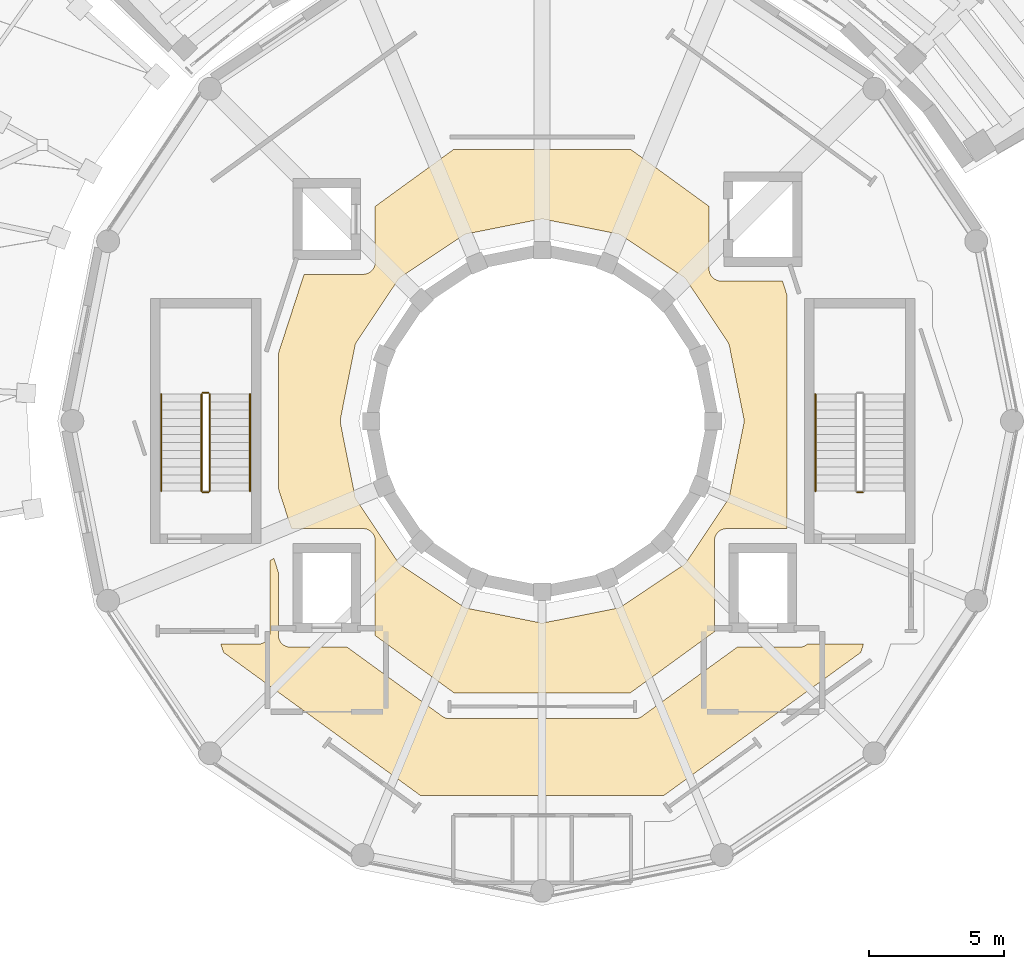
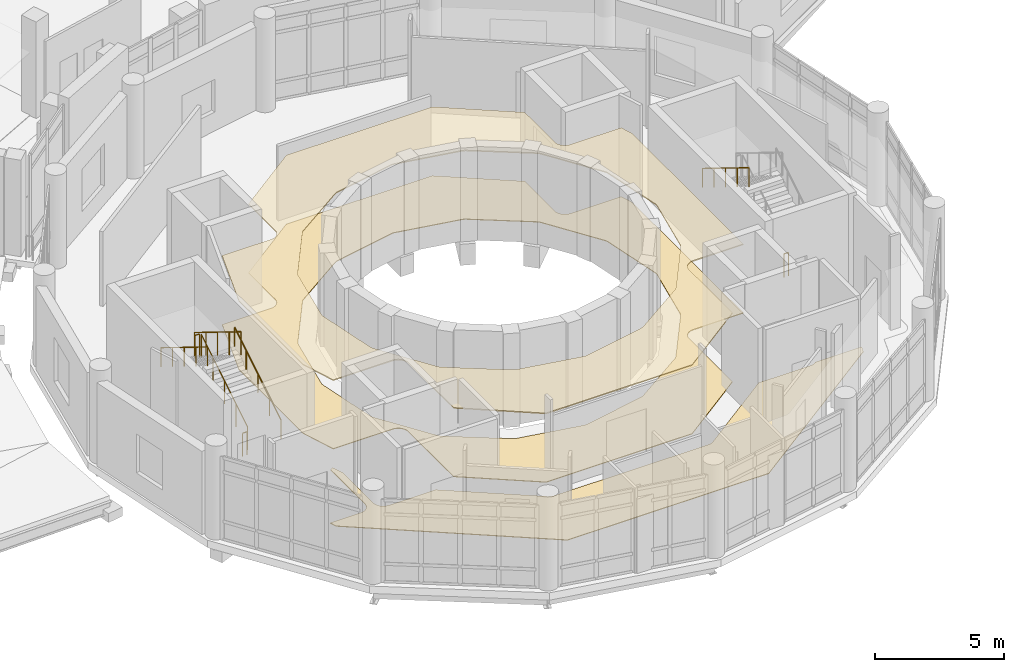
# One storey, part 42 of 49: 8 railings, 3 coverings.
"""IFC4 building model written with IfcOpenShell, lengths in metres."""

import ifcopenshell
import ifcopenshell.guid

model = None  # the IFC model being written
_history = None  # IfcOwnerHistory: only IFC2X3 demands one
_inside = {}  # id of a spatial element -> (the spatial element, [elements in it])
_under = {}  # id of a project, library or spatial element -> (it, [spatial elements below it])
_declared = {}  # id of a project -> (the project, [libraries it declares])
_typed = {}  # id of a type object -> (the type object, [elements of that type])
_made_of = {}  # id of a material, layer set ... -> (it, [elements and type objects made of it])


def new_model(schema):
    """Start an empty IFC model of exactly this schema.

    Asked for "IFC4X3", IfcOpenShell would pick the latest addendum, in which some entities
    have other attributes; the version numbers below select the first issue.
    IFC2X3 requires an IfcOwnerHistory on every rooted entity: one is made here for all.
    """
    global model, _history
    if schema == "IFC4X3":
        model = ifcopenshell.file(schema_version=(4, 3, 0, 0))
    else:
        model = ifcopenshell.file(schema=schema)
    _inside.clear()
    _under.clear()
    _declared.clear()
    _typed.clear()
    _made_of.clear()
    _history = None
    if model.schema == "IFC2X3":
        org = make("IfcOrganization", Name="unknown")
        user = make(
            "IfcPersonAndOrganization",
            ThePerson=make("IfcPerson", FamilyName="unknown"),
            TheOrganization=org,
        )
        app = make(
            "IfcApplication",
            ApplicationDeveloper=org,
            Version="unknown",
            ApplicationFullName="unknown",
            ApplicationIdentifier="unknown",
        )
        _history = make(
            "IfcOwnerHistory",
            OwningUser=user,
            OwningApplication=app,
            ChangeAction="ADDED",
            CreationDate=0,
        )
    return model


def make(cls, **values):
    """One entity of the class cls with the attributes given. An attribute that is None is left unset."""
    return model.create_entity(
        cls, **{name: value for name, value in values.items() if value is not None}
    )


def rooted(cls, **values):
    """An entity with a GlobalId (a new one), such as an element, a storey or a relation."""
    return make(cls, GlobalId=ifcopenshell.guid.new(), OwnerHistory=_history, **values)


def si_unit(unit_type, name, prefix=None):
    """IfcSIUnit, for example si_unit("LENGTHUNIT", "METRE", prefix="MILLI")."""
    return make("IfcSIUnit", UnitType=unit_type, Prefix=prefix, Name=name)


def assignment(units):
    """IfcUnitAssignment: the units of a project."""
    return None if units is None else make("IfcUnitAssignment", Units=units)


def point(xyz):
    """IfcCartesianPoint."""
    return None if xyz is None else make("IfcCartesianPoint", Coordinates=xyz)


def direction(xyz):
    """IfcDirection."""
    return None if xyz is None else make("IfcDirection", DirectionRatios=xyz)


def frame(location, z_axis=None, x_axis=None):
    """IfcAxis2Placement3D, a coordinate frame: its origin and axes. An axis left out is left unset."""
    return make(
        "IfcAxis2Placement3D",
        Location=point(location),
        Axis=direction(z_axis),
        RefDirection=direction(x_axis),
    )


def frame_2d(location, x_axis=None):
    """IfcAxis2Placement2D, a coordinate frame in the plane: its origin and x axis."""
    return make(
        "IfcAxis2Placement2D", Location=point(location), RefDirection=direction(x_axis)
    )


def origin():
    """The frame at (0, 0, 0) with its axes left unset."""
    return frame((0.0, 0.0, 0.0))


def origin_2d():
    """The frame at (0, 0) in the plane with its x axis left unset."""
    return frame_2d((0.0, 0.0))


def place(relative_to, where):
    """IfcLocalPlacement: puts the frame where relative to a parent placement (None: the world)."""
    return make(
        "IfcLocalPlacement", PlacementRelTo=relative_to, RelativePlacement=where
    )


def context(
    kind, dimensions, precision=None, world=None, true_north=None, identifier=None
):
    """IfcGeometricRepresentationContext, for example the 3D "Model" context."""
    return make(
        "IfcGeometricRepresentationContext",
        ContextIdentifier=identifier,
        ContextType=kind,
        CoordinateSpaceDimension=dimensions,
        Precision=precision,
        WorldCoordinateSystem=world,
        TrueNorth=true_north,
    )


def subcontext(parent, identifier, kind, view, scale=None):
    """IfcGeometricRepresentationSubContext, for example "Body" below "Model"."""
    return make(
        "IfcGeometricRepresentationSubContext",
        ContextIdentifier=identifier,
        ContextType=kind,
        ParentContext=parent,
        TargetScale=scale,
        TargetView=view,
    )


def project(units=None, contexts=None):
    """IfcProject with its units and contexts."""
    return rooted(
        "IfcProject",
        Name="project",
        RepresentationContexts=contexts,
        UnitsInContext=assignment(units),
    )


def spatial(cls, under=None, at=None, **own):
    """A site, building, storey or space (cls), placed at a placement, below another one or the project."""
    s = rooted(cls, ObjectPlacement=at, **own)
    if under is not None:
        _under.setdefault(under.id(), (under, []))[1].append(s)
    return s


def polyline(points):
    """IfcPolyline through the points."""
    return make("IfcPolyline", Points=[point(p) for p in points])


def profile(cls, at=None, kind="AREA", **sizes):
    """A parametric profile (cls). Its sizes go by their IFC names, for example OverallWidth=200.0."""
    return make(cls, ProfileType=kind, Position=at, **sizes)


def circle(**sizes):
    """IfcCircleProfileDef."""
    return profile("IfcCircleProfileDef", **sizes)


def outline(outer, holes=None, kind="AREA"):
    """IfcArbitraryClosedProfileDef: a profile drawn as a closed curve; with holes, ...WithVoids."""
    if holes is None:
        return make("IfcArbitraryClosedProfileDef", ProfileType=kind, OuterCurve=outer)
    return make(
        "IfcArbitraryProfileDefWithVoids",
        ProfileType=kind,
        OuterCurve=outer,
        InnerCurves=holes,
    )


def extrude(swept, where, along, depth):
    """IfcExtrudedAreaSolid: the profile swept, set in the frame where, extruded along a direction by depth."""
    return make(
        "IfcExtrudedAreaSolid",
        SweptArea=swept,
        Position=where,
        ExtrudedDirection=direction(along),
        Depth=depth,
    )


def shape(context_of_items, identifier, shape_type, items):
    """IfcShapeRepresentation: the items that make up one representation, for example the "Body"."""
    return make(
        "IfcShapeRepresentation",
        ContextOfItems=context_of_items,
        RepresentationIdentifier=identifier,
        RepresentationType=shape_type,
        Items=items,
    )


def material(Name=None, Category=None):
    """IfcMaterial."""
    return make("IfcMaterial", Name=Name, Category=Category)


def layer(
    of_material, thickness, ventilated=None, Name=None, Category=None, Priority=None
):
    """IfcMaterialLayer: one layer of a wall or slab, of a material (None: an air gap)."""
    return make(
        "IfcMaterialLayer",
        Material=of_material,
        LayerThickness=thickness,
        IsVentilated=ventilated,
        Name=Name,
        Category=Category,
        Priority=Priority,
    )


def layer_set(layers, Name=None):
    """IfcMaterialLayerSet."""
    return make("IfcMaterialLayerSet", MaterialLayers=layers, LayerSetName=Name)


def made_of(thing, what):
    """Note that an element or type object is made of a material, layer set ...; save() writes the relation."""
    if what is not None:
        _made_of.setdefault(what.id(), (what, []))[1].append(thing)
    return thing


def type_object(cls, material=None, **own):
    """A type object (cls), such as IfcWallType, which elements share."""
    return made_of(rooted(cls, **own), material)


def element(
    cls,
    number,
    at=None,
    inside=None,
    cuts=None,
    type_object=None,
    material=None,
    context=None,
    identifier="Body",
    shape_type=None,
    held_by="IfcProductDefinitionShape",
    body=None,
    shapes=None,
    **own,
):
    """One element of the class cls, such as IfcWall. Its Tag is "e" and its number.

    at: its placement. inside: the storey or other place that contains it. cuts: it is an
    opening in that element (IfcRelVoidsElement). A single representation is given by context,
    identifier, shape_type and body (its items); several are given by shapes. held_by: the class
    of the entity that holds the representations. save() writes the other relations.
    """
    e = rooted(cls, Tag="e%d" % number, ObjectPlacement=at, **own)
    if body is not None:
        shapes = [shape(context, identifier, shape_type, body)]
    if shapes is not None:
        e.Representation = make(held_by, Representations=shapes)
    if inside is not None:
        _inside.setdefault(inside.id(), (inside, []))[1].append(e)
    if cuts is not None:
        rooted(
            "IfcRelVoidsElement", RelatingBuildingElement=cuts, RelatedOpeningElement=e
        )
    if type_object is not None:
        _typed.setdefault(type_object.id(), (type_object, []))[1].append(e)
    return made_of(e, material)


def aggregate(whole, parts):
    """IfcRelAggregates: a whole, such as a stair, and the parts it consists of."""
    return rooted("IfcRelAggregates", RelatingObject=whole, RelatedObjects=parts)


def save(model, path):
    """Write the relations noted so far, then the file.

    IfcRelAggregates (storeys below a building ...), IfcRelContainedInSpatialStructure (elements
    in a storey), IfcRelDefinesByType, IfcRelAssociatesMaterial and IfcRelDeclares: one each for
    every whole, place, type object, material and project.
    """
    for whole, parts in _under.values():
        aggregate(whole, parts)
    for where, things in _inside.values():
        rooted(
            "IfcRelContainedInSpatialStructure",
            RelatedElements=things,
            RelatingStructure=where,
        )
    for kind, things in _typed.values():
        rooted("IfcRelDefinesByType", RelatedObjects=things, RelatingType=kind)
    for what, things in _made_of.values():
        rooted("IfcRelAssociatesMaterial", RelatedObjects=things, RelatingMaterial=what)
    for by, libraries in _declared.values():
        rooted("IfcRelDeclares", RelatingContext=by, RelatedDefinitions=libraries)
    model.write(path)


model = new_model("IFC4")

# Units and contexts
model_context = context("Model", 3, precision=1e-05, world=origin(), true_north=direction((0.0, 1.0)))
body_context = subcontext(model_context, "Body", "Model", "MODEL_VIEW")
ifc_project = project(units=[si_unit("LENGTHUNIT", "METRE"), si_unit("AREAUNIT", "SQUARE_METRE"), si_unit("VOLUMEUNIT", "CUBIC_METRE"), si_unit("PLANEANGLEUNIT", "RADIAN"), si_unit("MASSUNIT", "GRAM", prefix="KILO")], contexts=[model_context])

# Site, building, storey
site_placement = place(None, origin())
site = spatial("IfcSite", under=ifc_project, at=site_placement, CompositionType="ELEMENT")
building_placement = place(site_placement, origin())
building = spatial("IfcBuilding", under=site, at=building_placement, Name="Soyqirgoq Riverine Aquarium", CompositionType="ELEMENT")
storey_placement = place(building_placement, frame((0.0, 0.0, 15.0)))
storey = spatial("IfcBuildingStorey", under=building, at=storey_placement, Name="L04", CompositionType="ELEMENT", Elevation=15.0)

# Covering
ifc_material_1 = material(Name="Perforated mineral-fibre acoustic ceiling", Category="gypsum")
ifc_layer_1 = layer(ifc_material_1, 0.050048828125)
ifc_layer_set_1 = layer_set([ifc_layer_1], Name="Perforated mineral-fibre acoustic ceiling")
covering_type_1 = type_object("IfcCoveringType", Name="AcousticBaffleCeiling_50", PredefinedType="CEILING", material=ifc_layer_set_1)
covering_1_placement = place(storey_placement, frame((0.0, 0.0, 3.25)))
element("IfcCovering", 1, at=covering_1_placement, inside=storey, type_object=covering_type_1, Name="Deep Reef Viewing Gallery Suspended Ceiling", PredefinedType="CEILING", context=body_context, shape_type="SweptSolid", body=[
    extrude(outline(polyline([(46.199951171875, 54.49609375), (46.199951171875, 59.50390625), (47.156982421875, 62.449951171875), (49.35009765625, 62.449951171875), (49.39404296875, 62.451904296875), (49.43798828125, 62.458984375), (49.48095703125, 62.468994140625), (49.52197265625, 62.48388671875), (49.56201171875, 62.5029296875), (49.60009765625, 62.52587890625), (49.635009765625, 62.552001953125), (49.66796875, 62.58203125), (49.697998046875, 62.614990234375), (49.72412109375, 62.64990234375), (49.7470703125, 62.68798828125), (49.76611328125, 62.72802734375), (49.781005859375, 62.76904296875), (49.791015625, 62.81201171875), (49.798095703125, 62.85595703125), (49.800048828125, 62.89990234375), (49.800048828125, 64.972900390625), (52.719970703125, 67.093994140625), (59.280029296875, 67.093994140625), (62.199951171875, 64.972900390625), (62.199951171875, 62.64990234375), (62.201904296875, 62.60595703125), (62.208984375, 62.56201171875), (62.218994140625, 62.51904296875), (62.23388671875, 62.47802734375), (62.2529296875, 62.43798828125), (62.27587890625, 62.39990234375), (62.302001953125, 62.364990234375), (62.33203125, 62.33203125), (62.364990234375, 62.302001953125), (62.39990234375, 62.27587890625), (62.43798828125, 62.2529296875), (62.47802734375, 62.23388671875), (62.51904296875, 62.218994140625), (62.56201171875, 62.208984375), (62.60595703125, 62.201904296875), (62.64990234375, 62.199951171875), (64.924072265625, 62.199951171875), (65.10009765625, 61.658935546875), (65.10009765625, 53.0), (62.85009765625, 53.0), (62.805908203125, 52.998046875), (62.761962890625, 52.990966796875), (62.718994140625, 52.98095703125), (62.677978515625, 52.966064453125), (62.637939453125, 52.947021484375), (62.60009765625, 52.924072265625), (62.56494140625, 52.89794921875), (62.531982421875, 52.867919921875), (62.501953125, 52.8349609375), (62.47607421875, 52.800048828125), (62.452880859375, 52.761962890625), (62.43408203125, 52.721923828125), (62.4189453125, 52.680908203125), (62.408935546875, 52.637939453125), (62.402099609375, 52.593994140625), (62.39990234375, 52.550048828125), (62.39990234375, 49.173095703125), (59.280029296875, 46.906005859375), (52.719970703125, 46.906005859375), (49.799072265625, 49.028076171875), (49.800048828125, 49.050048828125), (49.800048828125, 52.550048828125), (49.798095703125, 52.593994140625), (49.791015625, 52.637939453125), (49.781005859375, 52.680908203125), (49.76611328125, 52.721923828125), (49.7470703125, 52.761962890625), (49.72412109375, 52.800048828125), (49.697998046875, 52.8349609375), (49.66796875, 52.867919921875), (49.635009765625, 52.89794921875), (49.60009765625, 52.924072265625), (49.56201171875, 52.947021484375), (49.52197265625, 52.966064453125), (49.48095703125, 52.98095703125), (49.43798828125, 52.990966796875), (49.39404296875, 52.998046875), (49.35009765625, 53.0), (46.68603515625, 53.0), (46.199951171875, 54.49609375)]), holes=[polyline([(62.955078125, 54.214111328125), (62.944091796875, 54.1708984375), (62.928955078125, 54.1298828125), (62.909912109375, 54.090087890625), (62.887939453125, 54.052001953125), (61.35888671875, 51.764892578125), (61.3330078125, 51.72900390625), (61.302978515625, 51.697021484375), (61.27099609375, 51.6669921875), (61.235107421875, 51.64111328125), (58.947998046875, 50.112060546875), (58.909912109375, 50.090087890625), (58.8701171875, 50.071044921875), (58.8291015625, 50.055908203125), (58.785888671875, 50.044921875), (56.087890625, 49.509033203125), (56.0439453125, 49.501953125), (56.0, 49.5), (55.9560546875, 49.501953125), (55.912109375, 49.509033203125), (53.214111328125, 50.044921875), (53.1708984375, 50.055908203125), (53.1298828125, 50.071044921875), (53.090087890625, 50.090087890625), (53.052001953125, 50.112060546875), (50.764892578125, 51.64111328125), (50.72900390625, 51.6669921875), (50.697021484375, 51.697021484375), (50.6669921875, 51.72900390625), (50.64111328125, 51.764892578125), (49.112060546875, 54.052001953125), (49.090087890625, 54.090087890625), (49.071044921875, 54.1298828125), (49.055908203125, 54.1708984375), (49.044921875, 54.214111328125), (48.509033203125, 56.912109375), (48.501953125, 56.9560546875), (48.5, 57.0), (48.501953125, 57.0439453125), (48.509033203125, 57.087890625), (49.044921875, 59.785888671875), (49.055908203125, 59.8291015625), (49.071044921875, 59.8701171875), (49.090087890625, 59.909912109375), (49.112060546875, 59.947998046875), (50.64111328125, 62.235107421875), (50.6669921875, 62.27099609375), (50.697021484375, 62.302978515625), (50.72900390625, 62.3330078125), (50.764892578125, 62.35888671875), (53.052001953125, 63.887939453125), (53.090087890625, 63.909912109375), (53.1298828125, 63.928955078125), (53.1708984375, 63.944091796875), (53.214111328125, 63.955078125), (55.912109375, 64.490966796875), (55.9560546875, 64.498046875), (56.0, 64.5), (56.0439453125, 64.498046875), (56.087890625, 64.490966796875), (58.785888671875, 63.955078125), (58.8291015625, 63.944091796875), (58.8701171875, 63.928955078125), (58.909912109375, 63.909912109375), (58.947998046875, 63.887939453125), (61.235107421875, 62.35888671875), (61.27099609375, 62.3330078125), (61.302978515625, 62.302978515625), (61.3330078125, 62.27099609375), (61.35888671875, 62.235107421875), (62.887939453125, 59.947998046875), (62.909912109375, 59.909912109375), (62.928955078125, 59.8701171875), (62.944091796875, 59.8291015625), (62.955078125, 59.785888671875), (63.490966796875, 57.087890625), (63.498046875, 57.0439453125), (63.5, 57.0), (63.498046875, 56.9560546875), (63.490966796875, 56.912109375), (62.955078125, 54.214111328125)])]), origin(), (0.0, 0.0, 1.0), 0.050048828125),
])

# Railings
ifc_material_2 = material(Name="Brushed stainless steel 316L tubular handrail", Category="steel")
railing_type_1 = type_object("IfcRailingType", Name="StairPitchHandrail_920", PredefinedType="HANDRAIL", material=ifc_material_2)
railing_1_placement = place(storey_placement, frame((66.14990234375, 58.0, 2.584716796875)))
element("IfcRailing", 2, at=railing_1_placement, inside=storey, type_object=railing_type_1, Name="L04 ST-1 stair handrail 2", PredefinedType="HANDRAIL", context=body_context, shape_type="SweptSolid", body=[
    extrude(circle(Radius=0.02392578125, at=origin_2d()), frame((0.0, 0.0, 0.89990234375), z_axis=(0.0, -0.85167021472, 0.524078090897), x_axis=(1.0, 0.0, 0.0)), (0.0, 0.0, 1.0), 4.22705078125),
    extrude(circle(Radius=0.02099609375, at=origin_2d()), origin(), (0.0, 0.0, 1.0), 0.875732421875),
    extrude(circle(Radius=0.02099609375, at=origin_2d()), frame((0.0, -0.89990234375, 0.5537109375)), (0.0, 0.0, 1.0), 0.875732421875),
    extrude(circle(Radius=0.02099609375, at=origin_2d()), frame((0.0, -1.800048828125, 1.107666015625)), (0.0, 0.0, 1.0), 0.875732421875),
    extrude(circle(Radius=0.02099609375, at=origin_2d()), frame((0.0, -2.7001953125, 1.66162109375)), (0.0, 0.0, 1.0), 0.875732421875),
    extrude(circle(Radius=0.02099609375, at=origin_2d()), frame((0.0, -3.60009765625, 2.21533203125)), (0.0, 0.0, 1.0), 0.875732421875),
])
railing_2_placement = place(storey_placement, frame((45.14990234375, 54.39990234375, 0.1845703125)))
element("IfcRailing", 3, at=railing_2_placement, inside=storey, type_object=railing_type_1, Name="L04 ST-9 stair handrail 1", PredefinedType="HANDRAIL", context=body_context, shape_type="SweptSolid", body=[
    extrude(circle(Radius=0.02392578125, at=origin_2d()), frame((0.0, 0.0, 0.89990234375), z_axis=(0.0, 0.85167021472, 0.524078090897), x_axis=(-1.0, 0.0, 0.0)), (0.0, 0.0, 1.0), 4.22705078125),
    extrude(circle(Radius=0.02099609375, at=origin_2d()), origin(), (0.0, 0.0, 1.0), 0.875732421875),
    extrude(circle(Radius=0.02099609375, at=origin_2d()), frame((0.0, 0.89990234375, 0.5537109375)), (0.0, 0.0, 1.0), 0.875732421875),
    extrude(circle(Radius=0.02099609375, at=origin_2d()), frame((0.0, 1.800048828125, 1.107666015625)), (0.0, 0.0, 1.0), 0.875732421875),
    extrude(circle(Radius=0.02099609375, at=origin_2d()), frame((0.0, 2.7001953125, 1.66162109375)), (0.0, 0.0, 1.0), 0.875732421875),
    extrude(circle(Radius=0.02099609375, at=origin_2d()), frame((0.0, 3.60009765625, 2.21533203125)), (0.0, 0.0, 1.0), 0.875732421875),
])
railing_3_placement = place(storey_placement, frame((41.85009765625, 58.0, 2.584716796875)))
element("IfcRailing", 4, at=railing_3_placement, inside=storey, type_object=railing_type_1, Name="L04 ST-9 stair handrail 2", PredefinedType="HANDRAIL", context=body_context, shape_type="SweptSolid", body=[
    extrude(circle(Radius=0.02392578125, at=origin_2d()), frame((0.0, 0.0, 0.89990234375), z_axis=(0.0, -0.85167021472, 0.524078090897), x_axis=(1.0, 0.0, 0.0)), (0.0, 0.0, 1.0), 4.22705078125),
    extrude(circle(Radius=0.02099609375, at=origin_2d()), origin(), (0.0, 0.0, 1.0), 0.875732421875),
    extrude(circle(Radius=0.02099609375, at=origin_2d()), frame((0.0, -0.89990234375, 0.5537109375)), (0.0, 0.0, 1.0), 0.875732421875),
    extrude(circle(Radius=0.02099609375, at=origin_2d()), frame((0.0, -1.800048828125, 1.107666015625)), (0.0, 0.0, 1.0), 0.875732421875),
    extrude(circle(Radius=0.02099609375, at=origin_2d()), frame((0.0, -2.7001953125, 1.66162109375)), (0.0, 0.0, 1.0), 0.875732421875),
    extrude(circle(Radius=0.02099609375, at=origin_2d()), frame((0.0, -3.60009765625, 2.21533203125)), (0.0, 0.0, 1.0), 0.875732421875),
])
ifc_material_3 = material(Name="Painted steel infill stair-well guardrail", Category="steel")
railing_type_2 = type_object("IfcRailingType", Name="StairWellGuard_1120", PredefinedType="GUARDRAIL", material=ifc_material_3)
railing_4_placement = place(storey_placement, frame((67.89990234375, 54.35009765625, 0.0)))
element("IfcRailing", 5, at=railing_4_placement, inside=storey, type_object=railing_type_2, Name="L04 ST-1 stair guard 4", PredefinedType="GUARDRAIL", context=body_context, shape_type="SweptSolid", body=[
    extrude(circle(Radius=0.02392578125, at=origin_2d()), frame((0.0, 0.0, 1.09619140625), z_axis=(-1.0, 0.0, 0.0), x_axis=(0.0, -1.0, 0.0)), (0.0, 0.0, 1.0), 0.199951171875),
    extrude(circle(Radius=0.02099609375, at=origin_2d()), origin(), (0.0, 0.0, 1.0), 1.072021484375),
    extrude(circle(Radius=0.02099609375, at=origin_2d()), frame((-0.199951171875, 0.0, 0.0)), (0.0, 0.0, 1.0), 1.072021484375),
])
railing_5_placement = place(storey_placement, frame((43.64990234375, 54.39990234375, 0.1845703125)))
element("IfcRailing", 6, at=railing_5_placement, inside=storey, type_object=railing_type_2, Name="L04 ST-9 stair guard 1", PredefinedType="GUARDRAIL", context=body_context, shape_type="SweptSolid", body=[
    extrude(circle(Radius=0.02392578125, at=origin_2d()), frame((0.0, 0.0, 1.09619140625), z_axis=(0.0, 0.85167021472, 0.524078090897), x_axis=(-1.0, 0.0, 0.0)), (0.0, 0.0, 1.0), 4.22705078125),
    extrude(circle(Radius=0.02099609375, at=origin_2d()), origin(), (0.0, 0.0, 1.0), 1.072021484375),
    extrude(circle(Radius=0.02099609375, at=origin_2d()), frame((0.0, 0.89990234375, 0.5537109375)), (0.0, 0.0, 1.0), 1.072021484375),
    extrude(circle(Radius=0.02099609375, at=origin_2d()), frame((0.0, 1.800048828125, 1.107666015625)), (0.0, 0.0, 1.0), 1.072021484375),
    extrude(circle(Radius=0.02099609375, at=origin_2d()), frame((0.0, 2.7001953125, 1.66162109375)), (0.0, 0.0, 1.0), 1.072021484375),
    extrude(circle(Radius=0.02099609375, at=origin_2d()), frame((0.0, 3.60009765625, 2.21533203125)), (0.0, 0.0, 1.0), 1.072021484375),
])
railing_6_placement = place(storey_placement, frame((43.60009765625, 58.050048828125, 2.39990234375)))
element("IfcRailing", 7, at=railing_6_placement, inside=storey, type_object=railing_type_2, Name="L04 ST-9 stair guard 2", PredefinedType="GUARDRAIL", context=body_context, shape_type="SweptSolid", body=[
    extrude(circle(Radius=0.02392578125, at=origin_2d()), frame((0.0, 0.0, 1.09619140625), z_axis=(-1.0, 0.0, 0.0), x_axis=(0.0, -1.0, 0.0)), (0.0, 0.0, 1.0), 0.2001953125),
    extrude(circle(Radius=0.02099609375, at=origin_2d()), origin(), (0.0, 0.0, 1.0), 1.072021484375),
    extrude(circle(Radius=0.02099609375, at=origin_2d()), frame((-0.2001953125, 0.0, 0.0)), (0.0, 0.0, 1.0), 1.072021484375),
])
railing_7_placement = place(storey_placement, frame((43.35009765625, 58.0, 2.584716796875)))
element("IfcRailing", 8, at=railing_7_placement, inside=storey, type_object=railing_type_2, Name="L04 ST-9 stair guard 3", PredefinedType="GUARDRAIL", context=body_context, shape_type="SweptSolid", body=[
    extrude(circle(Radius=0.02392578125, at=origin_2d()), frame((0.0, 0.0, 1.09619140625), z_axis=(0.0, -0.85167021472, 0.524078090897), x_axis=(1.0, 0.0, 0.0)), (0.0, 0.0, 1.0), 4.22705078125),
    extrude(circle(Radius=0.02099609375, at=origin_2d()), origin(), (0.0, 0.0, 1.0), 1.072021484375),
    extrude(circle(Radius=0.02099609375, at=origin_2d()), frame((0.0, -0.89990234375, 0.5537109375)), (0.0, 0.0, 1.0), 1.072021484375),
    extrude(circle(Radius=0.02099609375, at=origin_2d()), frame((0.0, -1.800048828125, 1.107666015625)), (0.0, 0.0, 1.0), 1.072021484375),
    extrude(circle(Radius=0.02099609375, at=origin_2d()), frame((0.0, -2.7001953125, 1.66162109375)), (0.0, 0.0, 1.0), 1.072021484375),
    extrude(circle(Radius=0.02099609375, at=origin_2d()), frame((0.0, -3.60009765625, 2.21533203125)), (0.0, 0.0, 1.0), 1.072021484375),
])
railing_8_placement = place(storey_placement, frame((43.60009765625, 54.35009765625, 0.0)))
element("IfcRailing", 9, at=railing_8_placement, inside=storey, type_object=railing_type_2, Name="L04 ST-9 stair guard 4", PredefinedType="GUARDRAIL", context=body_context, shape_type="SweptSolid", body=[
    extrude(circle(Radius=0.02392578125, at=origin_2d()), frame((0.0, 0.0, 1.09619140625), z_axis=(-1.0, 0.0, 0.0), x_axis=(0.0, -1.0, 0.0)), (0.0, 0.0, 1.0), 0.2001953125),
    extrude(circle(Radius=0.02099609375, at=origin_2d()), origin(), (0.0, 0.0, 1.0), 1.072021484375),
    extrude(circle(Radius=0.02099609375, at=origin_2d()), frame((-0.2001953125, 0.0, 0.0)), (0.0, 0.0, 1.0), 1.072021484375),
])

# Coverings
ifc_material_4 = material(Name="Polished Chirchiq river-pebble terrazzo flooring", Category="concrete")
ifc_layer_2 = layer(ifc_material_4, 0.030029296875)
ifc_layer_set_2 = layer_set([ifc_layer_2], Name="Polished Chirchiq river-pebble terrazzo flooring")
covering_type_2 = type_object("IfcCoveringType", Name="TerrazzoFloorFinish_30", PredefinedType="FLOORING", material=ifc_layer_set_2)
covering_2_placement = place(storey_placement, origin())
element("IfcCovering", 10, at=covering_2_placement, inside=storey, type_object=covering_type_2, Name="Ocean Drum Circulation Corridor Floor Finish", PredefinedType="FLOORING", context=body_context, shape_type="SweptSolid", body=[
    extrude(outline(polyline([(45.43994140625, 48.7099609375), (45.48388671875, 48.7119140625), (45.528076171875, 48.718994140625), (45.571044921875, 48.72900390625), (45.612060546875, 48.743896484375), (45.652099609375, 48.762939453125), (45.68994140625, 48.785888671875), (45.72509765625, 48.81201171875), (45.758056640625, 48.842041015625), (45.7880859375, 48.875), (45.81396484375, 48.909912109375), (45.8369140625, 48.947998046875), (45.85595703125, 48.988037109375), (45.87109375, 49.029052734375), (45.881103515625, 49.072021484375), (45.887939453125, 49.115966796875), (45.889892578125, 49.159912109375), (45.889892578125, 51.822998046875), (45.922119140625, 51.833984375), (45.9619140625, 51.85302734375), (46.0, 51.8759765625), (46.033935546875, 51.90087890625), (46.199951171875, 51.388916015625), (46.199951171875, 49.050048828125), (46.201904296875, 49.006103515625), (46.208984375, 48.9619140625), (46.218994140625, 48.9189453125), (46.23388671875, 48.8779296875), (46.2529296875, 48.837890625), (46.27587890625, 48.800048828125), (46.302001953125, 48.764892578125), (46.33203125, 48.73193359375), (46.364990234375, 48.701904296875), (46.39990234375, 48.676025390625), (46.43798828125, 48.653076171875), (46.47802734375, 48.634033203125), (46.51904296875, 48.618896484375), (46.56201171875, 48.60888671875), (46.60595703125, 48.60205078125), (46.64990234375, 48.60009765625), (48.7548828125, 48.60009765625), (52.2900390625, 46.031982421875), (52.3291015625, 46.006103515625), (52.37109375, 45.985107421875), (52.4150390625, 45.968017578125), (52.4609375, 45.9560546875), (52.507080078125, 45.947998046875), (52.553955078125, 45.946044921875), (59.446044921875, 45.946044921875), (59.492919921875, 45.947998046875), (59.5390625, 45.9560546875), (59.5849609375, 45.968017578125), (59.62890625, 45.985107421875), (59.6708984375, 46.006103515625), (59.7099609375, 46.031982421875), (63.2451171875, 48.60009765625), (65.550048828125, 48.60009765625), (65.593994140625, 48.60205078125), (65.637939453125, 48.60888671875), (65.680908203125, 48.618896484375), (65.721923828125, 48.634033203125), (65.761962890625, 48.653076171875), (65.800048828125, 48.676025390625), (65.8349609375, 48.701904296875), (65.844970703125, 48.7109375), (65.860107421875, 48.7099609375), (67.93310546875, 48.7099609375), (67.8330078125, 48.403076171875), (60.52001953125, 43.089111328125), (51.47998046875, 43.089111328125), (44.1669921875, 48.403076171875), (44.06689453125, 48.7099609375), (45.43994140625, 48.7099609375)])), origin(), (0.0, 0.0, 1.0), 0.030029296875),
])
covering_3_placement = place(storey_placement, origin())
element("IfcCovering", 11, at=covering_3_placement, inside=storey, type_object=covering_type_2, Name="Deep Reef Viewing Gallery Floor Finish", PredefinedType="FLOORING", context=body_context, shape_type="SweptSolid", body=[
    extrude(outline(polyline([(46.199951171875, 54.49609375), (46.199951171875, 59.50390625), (47.156982421875, 62.449951171875), (49.35009765625, 62.449951171875), (49.39404296875, 62.451904296875), (49.43798828125, 62.458984375), (49.48095703125, 62.468994140625), (49.52197265625, 62.48388671875), (49.56201171875, 62.5029296875), (49.60009765625, 62.52587890625), (49.635009765625, 62.552001953125), (49.66796875, 62.58203125), (49.697998046875, 62.614990234375), (49.72412109375, 62.64990234375), (49.7470703125, 62.68798828125), (49.76611328125, 62.72802734375), (49.781005859375, 62.76904296875), (49.791015625, 62.81201171875), (49.798095703125, 62.85595703125), (49.800048828125, 62.89990234375), (49.800048828125, 64.972900390625), (52.719970703125, 67.093994140625), (59.280029296875, 67.093994140625), (62.199951171875, 64.972900390625), (62.199951171875, 62.64990234375), (62.201904296875, 62.60595703125), (62.208984375, 62.56201171875), (62.218994140625, 62.51904296875), (62.23388671875, 62.47802734375), (62.2529296875, 62.43798828125), (62.27587890625, 62.39990234375), (62.302001953125, 62.364990234375), (62.33203125, 62.33203125), (62.364990234375, 62.302001953125), (62.39990234375, 62.27587890625), (62.43798828125, 62.2529296875), (62.47802734375, 62.23388671875), (62.51904296875, 62.218994140625), (62.56201171875, 62.208984375), (62.60595703125, 62.201904296875), (62.64990234375, 62.199951171875), (64.924072265625, 62.199951171875), (65.10009765625, 61.658935546875), (65.10009765625, 53.0), (62.85009765625, 53.0), (62.805908203125, 52.998046875), (62.761962890625, 52.990966796875), (62.718994140625, 52.98095703125), (62.677978515625, 52.966064453125), (62.637939453125, 52.947021484375), (62.60009765625, 52.924072265625), (62.56494140625, 52.89794921875), (62.531982421875, 52.867919921875), (62.501953125, 52.8349609375), (62.47607421875, 52.800048828125), (62.452880859375, 52.761962890625), (62.43408203125, 52.721923828125), (62.4189453125, 52.680908203125), (62.408935546875, 52.637939453125), (62.402099609375, 52.593994140625), (62.39990234375, 52.550048828125), (62.39990234375, 49.173095703125), (59.280029296875, 46.906005859375), (52.719970703125, 46.906005859375), (49.799072265625, 49.028076171875), (49.800048828125, 49.050048828125), (49.800048828125, 52.550048828125), (49.798095703125, 52.593994140625), (49.791015625, 52.637939453125), (49.781005859375, 52.680908203125), (49.76611328125, 52.721923828125), (49.7470703125, 52.761962890625), (49.72412109375, 52.800048828125), (49.697998046875, 52.8349609375), (49.66796875, 52.867919921875), (49.635009765625, 52.89794921875), (49.60009765625, 52.924072265625), (49.56201171875, 52.947021484375), (49.52197265625, 52.966064453125), (49.48095703125, 52.98095703125), (49.43798828125, 52.990966796875), (49.39404296875, 52.998046875), (49.35009765625, 53.0), (46.68603515625, 53.0), (46.199951171875, 54.49609375)]), holes=[polyline([(62.955078125, 54.214111328125), (62.944091796875, 54.1708984375), (62.928955078125, 54.1298828125), (62.909912109375, 54.090087890625), (62.887939453125, 54.052001953125), (61.35888671875, 51.764892578125), (61.3330078125, 51.72900390625), (61.302978515625, 51.697021484375), (61.27099609375, 51.6669921875), (61.235107421875, 51.64111328125), (58.947998046875, 50.112060546875), (58.909912109375, 50.090087890625), (58.8701171875, 50.071044921875), (58.8291015625, 50.055908203125), (58.785888671875, 50.044921875), (56.087890625, 49.509033203125), (56.0439453125, 49.501953125), (56.0, 49.5), (55.9560546875, 49.501953125), (55.912109375, 49.509033203125), (53.214111328125, 50.044921875), (53.1708984375, 50.055908203125), (53.1298828125, 50.071044921875), (53.090087890625, 50.090087890625), (53.052001953125, 50.112060546875), (50.764892578125, 51.64111328125), (50.72900390625, 51.6669921875), (50.697021484375, 51.697021484375), (50.6669921875, 51.72900390625), (50.64111328125, 51.764892578125), (49.112060546875, 54.052001953125), (49.090087890625, 54.090087890625), (49.071044921875, 54.1298828125), (49.055908203125, 54.1708984375), (49.044921875, 54.214111328125), (48.509033203125, 56.912109375), (48.501953125, 56.9560546875), (48.5, 57.0), (48.501953125, 57.0439453125), (48.509033203125, 57.087890625), (49.044921875, 59.785888671875), (49.055908203125, 59.8291015625), (49.071044921875, 59.8701171875), (49.090087890625, 59.909912109375), (49.112060546875, 59.947998046875), (50.64111328125, 62.235107421875), (50.6669921875, 62.27099609375), (50.697021484375, 62.302978515625), (50.72900390625, 62.3330078125), (50.764892578125, 62.35888671875), (53.052001953125, 63.887939453125), (53.090087890625, 63.909912109375), (53.1298828125, 63.928955078125), (53.1708984375, 63.944091796875), (53.214111328125, 63.955078125), (55.912109375, 64.490966796875), (55.9560546875, 64.498046875), (56.0, 64.5), (56.0439453125, 64.498046875), (56.087890625, 64.490966796875), (58.785888671875, 63.955078125), (58.8291015625, 63.944091796875), (58.8701171875, 63.928955078125), (58.909912109375, 63.909912109375), (58.947998046875, 63.887939453125), (61.235107421875, 62.35888671875), (61.27099609375, 62.3330078125), (61.302978515625, 62.302978515625), (61.3330078125, 62.27099609375), (61.35888671875, 62.235107421875), (62.887939453125, 59.947998046875), (62.909912109375, 59.909912109375), (62.928955078125, 59.8701171875), (62.944091796875, 59.8291015625), (62.955078125, 59.785888671875), (63.490966796875, 57.087890625), (63.498046875, 57.0439453125), (63.5, 57.0), (63.498046875, 56.9560546875), (63.490966796875, 56.912109375), (62.955078125, 54.214111328125)])]), origin(), (0.0, 0.0, 1.0), 0.030029296875),
])

save(model, "model.ifc")
